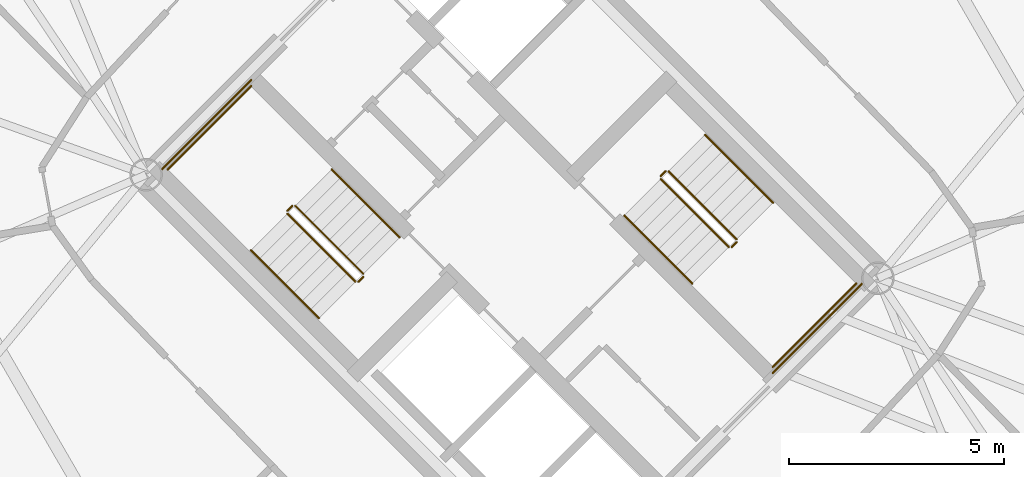
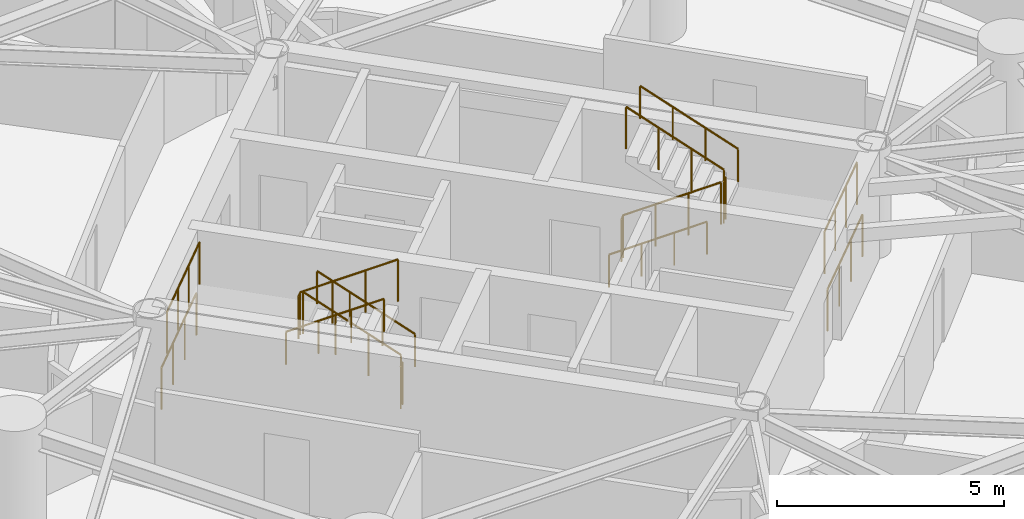
# One storey, part 18 of 19: 16 railings.
"""IFC4 building model written with IfcOpenShell, lengths in metres."""

from ifc_helpers import new_model, si_unit, direction, frame, origin, origin_2d, place, context, subcontext, project, spatial, circle, extrude, material, type_object, element, save


model = new_model("IFC4")

# Units and contexts
model_context = context("Model", 3, precision=1e-05, world=origin(), true_north=direction((0.0, 1.0)))
body_context = subcontext(model_context, "Body", "Model", "MODEL_VIEW")
ifc_project = project(units=[si_unit("LENGTHUNIT", "METRE"), si_unit("AREAUNIT", "SQUARE_METRE"), si_unit("VOLUMEUNIT", "CUBIC_METRE"), si_unit("PLANEANGLEUNIT", "RADIAN"), si_unit("MASSUNIT", "GRAM", prefix="KILO")], contexts=[model_context])

# Site, building, storey
site_placement = place(None, origin())
site = spatial("IfcSite", under=ifc_project, at=site_placement, CompositionType="ELEMENT")
building_placement = place(site_placement, origin())
building = spatial("IfcBuilding", under=site, at=building_placement, Name="Cununo Teusaquillo Station Towers", CompositionType="ELEMENT")
storey_placement = place(building_placement, frame((0.0, 0.0, 84.699951171875)))
storey = spatial("IfcBuildingStorey", under=building, at=storey_placement, Name="L26", CompositionType="ELEMENT", Elevation=84.699951171875)

# Railings
ifc_material_1 = material(Name="Steel EN 10025-2 S355J2", Category="steel")
railing_type_1 = type_object("IfcRailingType", Name="RL-INT-GUARD", PredefinedType="GUARDRAIL", material=ifc_material_1)
railing_1_placement = place(storey_placement, frame((54.03515625, 23.39697265625, 0.16162109375)))
element("IfcRailing", 1, at=railing_1_placement, inside=storey, type_object=railing_type_1, Name="L26 ST-T2-1 stair guard 1", PredefinedType="GUARDRAIL", context=body_context, shape_type="SweptSolid", body=[
    extrude(circle(Radius=0.02392578125, at=origin_2d()), frame((0.0, 0.0, 1.1259765625), z_axis=(-0.612332353853, 0.612332353853, 0.500098167213), x_axis=(-0.707106781187, -0.707106781187, 0.0)), (0.0, 0.0, 1.0), 2.58642578125),
    extrude(circle(Radius=0.02099609375, at=origin_2d()), origin(), (0.0, 0.0, 1.0), 1.101806640625),
    extrude(circle(Radius=0.02099609375, at=origin_2d()), frame((-0.52783203125, 0.52783203125, 0.43115234375)), (0.0, 0.0, 1.0), 1.101806640625),
    extrude(circle(Radius=0.02099609375, at=origin_2d()), frame((-1.055908203125, 1.055908203125, 0.8623046875)), (0.0, 0.0, 1.0), 1.101806640625),
    extrude(circle(Radius=0.02099609375, at=origin_2d()), frame((-1.583740234375, 1.583740234375, 1.29345703125)), (0.0, 0.0, 1.0), 1.101806640625),
])
railing_2_placement = place(storey_placement, frame((52.380615234375, 24.980712890625, 1.455078125)))
element("IfcRailing", 2, at=railing_2_placement, inside=storey, type_object=railing_type_1, Name="L26 ST-T2-1 stair guard 2", PredefinedType="GUARDRAIL", context=body_context, shape_type="SweptSolid", body=[
    extrude(circle(Radius=0.02392578125, at=origin_2d()), frame((0.0, 0.0, 1.1259765625), z_axis=(-0.7078691598, -0.706343579714, 0.0), x_axis=(0.706343579714, -0.7078691598, 0.0)), (0.0, 0.0, 1.0), 0.159912109375),
    extrude(circle(Radius=0.02099609375, at=origin_2d()), origin(), (0.0, 0.0, 1.0), 1.101806640625),
    extrude(circle(Radius=0.02099609375, at=origin_2d()), frame((-0.11328125, -0.113037109375, 0.0)), (0.0, 0.0, 1.0), 1.101806640625),
])
railing_3_placement = place(storey_placement, frame((51.426025390625, 27.77392578125, 1.455078125)))
element("IfcRailing", 3, at=railing_3_placement, inside=storey, type_object=railing_type_1, Name="L26 ST-T2-1 stair guard 3", PredefinedType="GUARDRAIL", context=body_context, shape_type="SweptSolid", body=[
    extrude(circle(Radius=0.02392578125, at=origin_2d()), frame((0.0, 0.0, 1.1259765625), z_axis=(-0.707106781187, -0.707106781187, 0.0), x_axis=(0.707106781187, -0.707106781187, 0.0)), (0.0, 0.0, 1.0), 2.760009765625),
    extrude(circle(Radius=0.02099609375, at=origin_2d()), origin(), (0.0, 0.0, 1.0), 1.101806640625),
    extrude(circle(Radius=0.02099609375, at=origin_2d()), frame((-0.650634765625, -0.650634765625, 0.0)), (0.0, 0.0, 1.0), 1.101806640625),
    extrude(circle(Radius=0.02099609375, at=origin_2d()), frame((-1.301025390625, -1.301025390625, 0.0)), (0.0, 0.0, 1.0), 1.101806640625),
    extrude(circle(Radius=0.02099609375, at=origin_2d()), frame((-1.95166015625, -1.95166015625, 0.0)), (0.0, 0.0, 1.0), 1.101806640625),
])
railing_4_placement = place(storey_placement, frame((52.267333984375, 24.796875, 1.61669921875)))
element("IfcRailing", 4, at=railing_4_placement, inside=storey, type_object=railing_type_1, Name="L26 ST-T2-1 stair guard 4", PredefinedType="GUARDRAIL", context=body_context, shape_type="SweptSolid", body=[
    extrude(circle(Radius=0.02392578125, at=origin_2d()), frame((0.0, 0.0, 1.1259765625), z_axis=(0.612391349474, -0.612296961165, 0.500069261639), x_axis=(0.707052281454, 0.707161276719, 0.0)), (0.0, 0.0, 1.0), 2.586669921875),
    extrude(circle(Radius=0.02099609375, at=origin_2d()), origin(), (0.0, 0.0, 1.0), 1.101806640625),
    extrude(circle(Radius=0.02099609375, at=origin_2d()), frame((0.528076171875, -0.52783203125, 0.43115234375)), (0.0, 0.0, 1.0), 1.101806640625),
    extrude(circle(Radius=0.02099609375, at=origin_2d()), frame((1.055908203125, -1.055908203125, 0.8623046875)), (0.0, 0.0, 1.0), 1.101806640625),
    extrude(circle(Radius=0.02099609375, at=origin_2d()), frame((1.583984375, -1.583740234375, 1.29345703125)), (0.0, 0.0, 1.0), 1.101806640625),
])
railing_5_placement = place(storey_placement, frame((54.03515625, 23.326171875, 0.0)))
element("IfcRailing", 5, at=railing_5_placement, inside=storey, type_object=railing_type_1, Name="L26 ST-T2-1 stair guard 5", PredefinedType="GUARDRAIL", context=body_context, shape_type="SweptSolid", body=[
    extrude(circle(Radius=0.02392578125, at=origin_2d()), frame((0.0, 0.0, 1.1259765625), z_axis=(-0.707106781187, -0.707106781187, 0.0), x_axis=(0.707106781187, -0.707106781187, 0.0)), (0.0, 0.0, 1.0), 0.159912109375),
    extrude(circle(Radius=0.02099609375, at=origin_2d()), origin(), (0.0, 0.0, 1.0), 1.101806640625),
    extrude(circle(Radius=0.02099609375, at=origin_2d()), frame((-0.113037109375, -0.113037109375, 0.0)), (0.0, 0.0, 1.0), 1.101806640625),
])
railing_6_placement = place(storey_placement, frame((51.426025390625, 27.915283203125, 0.0)))
element("IfcRailing", 6, at=railing_6_placement, inside=storey, type_object=railing_type_1, Name="L26 ST-T2-1 stair guard 6", PredefinedType="GUARDRAIL", context=body_context, shape_type="SweptSolid", body=[
    extrude(circle(Radius=0.02392578125, at=origin_2d()), frame((0.0, 0.0, 1.1259765625), z_axis=(-0.707106781187, -0.707106781187, 0.0), x_axis=(0.707106781187, -0.707106781187, 0.0)), (0.0, 0.0, 1.0), 2.9599609375),
    extrude(circle(Radius=0.02099609375, at=origin_2d()), origin(), (0.0, 0.0, 1.0), 1.101806640625),
    extrude(circle(Radius=0.02099609375, at=origin_2d()), frame((-0.69775390625, -0.69775390625, 0.0)), (0.0, 0.0, 1.0), 1.101806640625),
    extrude(circle(Radius=0.02099609375, at=origin_2d()), frame((-1.395263671875, -1.395263671875, 0.0)), (0.0, 0.0, 1.0), 1.101806640625),
    extrude(circle(Radius=0.02099609375, at=origin_2d()), frame((-2.093017578125, -2.093017578125, 0.0)), (0.0, 0.0, 1.0), 1.101806640625),
])
railing_7_placement = place(storey_placement, frame((60.96484375, 25.60302734375, 0.16162109375)))
element("IfcRailing", 7, at=railing_7_placement, inside=storey, type_object=railing_type_1, Name="L26 ST-T2-2 stair guard 1", PredefinedType="GUARDRAIL", context=body_context, shape_type="SweptSolid", body=[
    extrude(circle(Radius=0.02392578125, at=origin_2d()), frame((0.0, 0.0, 1.1259765625), z_axis=(0.612332353853, -0.612332353853, 0.500098167213), x_axis=(0.707106781187, 0.707106781187, 0.0)), (0.0, 0.0, 1.0), 2.58642578125),
    extrude(circle(Radius=0.02099609375, at=origin_2d()), origin(), (0.0, 0.0, 1.0), 1.101806640625),
    extrude(circle(Radius=0.02099609375, at=origin_2d()), frame((0.52783203125, -0.52783203125, 0.43115234375)), (0.0, 0.0, 1.0), 1.101806640625),
    extrude(circle(Radius=0.02099609375, at=origin_2d()), frame((1.055908203125, -1.055908203125, 0.8623046875)), (0.0, 0.0, 1.0), 1.101806640625),
    extrude(circle(Radius=0.02099609375, at=origin_2d()), frame((1.583740234375, -1.583740234375, 1.29345703125)), (0.0, 0.0, 1.0), 1.101806640625),
])
railing_8_placement = place(storey_placement, frame((62.619384765625, 24.019287109375, 1.455078125)))
element("IfcRailing", 8, at=railing_8_placement, inside=storey, type_object=railing_type_1, Name="L26 ST-T2-2 stair guard 2", PredefinedType="GUARDRAIL", context=body_context, shape_type="SweptSolid", body=[
    extrude(circle(Radius=0.02392578125, at=origin_2d()), frame((0.0, 0.0, 1.1259765625), z_axis=(0.7078691598, 0.706343579714, 0.0), x_axis=(-0.706343579714, 0.7078691598, 0.0)), (0.0, 0.0, 1.0), 0.159912109375),
    extrude(circle(Radius=0.02099609375, at=origin_2d()), origin(), (0.0, 0.0, 1.0), 1.101806640625),
    extrude(circle(Radius=0.02099609375, at=origin_2d()), frame((0.11328125, 0.113037109375, 0.0)), (0.0, 0.0, 1.0), 1.101806640625),
])
railing_9_placement = place(storey_placement, frame((63.573974609375, 21.22607421875, 1.455078125)))
element("IfcRailing", 9, at=railing_9_placement, inside=storey, type_object=railing_type_1, Name="L26 ST-T2-2 stair guard 3", PredefinedType="GUARDRAIL", context=body_context, shape_type="SweptSolid", body=[
    extrude(circle(Radius=0.02392578125, at=origin_2d()), frame((0.0, 0.0, 1.1259765625), z_axis=(0.707106781187, 0.707106781187, 0.0), x_axis=(-0.707106781187, 0.707106781187, 0.0)), (0.0, 0.0, 1.0), 2.760009765625),
    extrude(circle(Radius=0.02099609375, at=origin_2d()), origin(), (0.0, 0.0, 1.0), 1.101806640625),
    extrude(circle(Radius=0.02099609375, at=origin_2d()), frame((0.650634765625, 0.650634765625, 0.0)), (0.0, 0.0, 1.0), 1.101806640625),
    extrude(circle(Radius=0.02099609375, at=origin_2d()), frame((1.301025390625, 1.301025390625, 0.0)), (0.0, 0.0, 1.0), 1.101806640625),
    extrude(circle(Radius=0.02099609375, at=origin_2d()), frame((1.95166015625, 1.95166015625, 0.0)), (0.0, 0.0, 1.0), 1.101806640625),
])
railing_10_placement = place(storey_placement, frame((62.732666015625, 24.203125, 1.61669921875)))
element("IfcRailing", 10, at=railing_10_placement, inside=storey, type_object=railing_type_1, Name="L26 ST-T2-2 stair guard 4", PredefinedType="GUARDRAIL", context=body_context, shape_type="SweptSolid", body=[
    extrude(circle(Radius=0.02392578125, at=origin_2d()), frame((0.0, 0.0, 1.1259765625), z_axis=(-0.612391349474, 0.612296961165, 0.500069261639), x_axis=(-0.707052281454, -0.707161276719, 0.0)), (0.0, 0.0, 1.0), 2.586669921875),
    extrude(circle(Radius=0.02099609375, at=origin_2d()), origin(), (0.0, 0.0, 1.0), 1.101806640625),
    extrude(circle(Radius=0.02099609375, at=origin_2d()), frame((-0.528076171875, 0.52783203125, 0.43115234375)), (0.0, 0.0, 1.0), 1.101806640625),
    extrude(circle(Radius=0.02099609375, at=origin_2d()), frame((-1.055908203125, 1.055908203125, 0.8623046875)), (0.0, 0.0, 1.0), 1.101806640625),
    extrude(circle(Radius=0.02099609375, at=origin_2d()), frame((-1.583984375, 1.583740234375, 1.29345703125)), (0.0, 0.0, 1.0), 1.101806640625),
])
railing_11_placement = place(storey_placement, frame((60.96484375, 25.673828125, 0.0)))
element("IfcRailing", 11, at=railing_11_placement, inside=storey, type_object=railing_type_1, Name="L26 ST-T2-2 stair guard 5", PredefinedType="GUARDRAIL", context=body_context, shape_type="SweptSolid", body=[
    extrude(circle(Radius=0.02392578125, at=origin_2d()), frame((0.0, 0.0, 1.1259765625), z_axis=(0.707106781187, 0.707106781187, 0.0), x_axis=(-0.707106781187, 0.707106781187, 0.0)), (0.0, 0.0, 1.0), 0.159912109375),
    extrude(circle(Radius=0.02099609375, at=origin_2d()), origin(), (0.0, 0.0, 1.0), 1.101806640625),
    extrude(circle(Radius=0.02099609375, at=origin_2d()), frame((0.113037109375, 0.113037109375, 0.0)), (0.0, 0.0, 1.0), 1.101806640625),
])
railing_12_placement = place(storey_placement, frame((63.573974609375, 21.084716796875, 0.0)))
element("IfcRailing", 12, at=railing_12_placement, inside=storey, type_object=railing_type_1, Name="L26 ST-T2-2 stair guard 6", PredefinedType="GUARDRAIL", context=body_context, shape_type="SweptSolid", body=[
    extrude(circle(Radius=0.02392578125, at=origin_2d()), frame((0.0, 0.0, 1.1259765625), z_axis=(0.707106781187, 0.707106781187, 0.0), x_axis=(-0.707106781187, 0.707106781187, 0.0)), (0.0, 0.0, 1.0), 2.9599609375),
    extrude(circle(Radius=0.02099609375, at=origin_2d()), origin(), (0.0, 0.0, 1.0), 1.101806640625),
    extrude(circle(Radius=0.02099609375, at=origin_2d()), frame((0.69775390625, 0.69775390625, 0.0)), (0.0, 0.0, 1.0), 1.101806640625),
    extrude(circle(Radius=0.02099609375, at=origin_2d()), frame((1.395263671875, 1.395263671875, 0.0)), (0.0, 0.0, 1.0), 1.101806640625),
    extrude(circle(Radius=0.02099609375, at=origin_2d()), frame((2.093017578125, 2.093017578125, 0.0)), (0.0, 0.0, 1.0), 1.101806640625),
])
ifc_material_2 = material(Name="Steel EN 10025-2 S355J2", Category="steel")
railing_type_2 = type_object("IfcRailingType", Name="RL-INT-HRAIL", PredefinedType="HANDRAIL", material=ifc_material_2)
railing_13_placement = place(storey_placement, frame((54.8837890625, 24.245361328125, 0.16162109375)))
element("IfcRailing", 13, at=railing_13_placement, inside=storey, type_object=railing_type_2, Name="L26 ST-T2-1 stair handrail 1", PredefinedType="HANDRAIL", context=body_context, shape_type="SweptSolid", body=[
    extrude(circle(Radius=0.02392578125, at=origin_2d()), frame((0.0, 0.0, 0.8759765625), z_axis=(-0.612355957468, 0.612355957468, 0.500040361077), x_axis=(-0.707106781187, -0.707106781187, 0.0)), (0.0, 0.0, 1.0), 2.586669921875),
    extrude(circle(Radius=0.02099609375, at=origin_2d()), origin(), (0.0, 0.0, 1.0), 0.851806640625),
    extrude(circle(Radius=0.02099609375, at=origin_2d()), frame((-0.528076171875, 0.528076171875, 0.43115234375)), (0.0, 0.0, 1.0), 0.851806640625),
    extrude(circle(Radius=0.02099609375, at=origin_2d()), frame((-1.055908203125, 1.055908203125, 0.8623046875)), (0.0, 0.0, 1.0), 0.851806640625),
    extrude(circle(Radius=0.02099609375, at=origin_2d()), frame((-1.583984375, 1.583984375, 1.29345703125)), (0.0, 0.0, 1.0), 0.851806640625),
])
for number, where, name in (
    (14, (51.4189453125, 23.948486328125, 1.61669921875), "L26 ST-T2-1 stair handrail 2"),
    (15, (60.1162109375, 24.754638671875, 0.16162109375), "L26 ST-T2-2 stair handrail 1"),
):
    element("IfcRailing", number, at=place(storey_placement, frame(where)), inside=storey, type_object=railing_type_2, Name=name, PredefinedType="HANDRAIL", context=body_context, shape_type="SweptSolid", body=[
        extrude(circle(Radius=0.02392578125, at=origin_2d()), frame((0.0, 0.0, 0.8759765625), z_axis=(0.612355957468, -0.612355957468, 0.500040361077), x_axis=(0.707106781187, 0.707106781187, 0.0)), (0.0, 0.0, 1.0), 2.586669921875),
        extrude(circle(Radius=0.02099609375, at=origin_2d()), origin(), (0.0, 0.0, 1.0), 0.851806640625),
        extrude(circle(Radius=0.02099609375, at=origin_2d()), frame((0.528076171875, -0.528076171875, 0.43115234375)), (0.0, 0.0, 1.0), 0.851806640625),
        extrude(circle(Radius=0.02099609375, at=origin_2d()), frame((1.055908203125, -1.055908203125, 0.8623046875)), (0.0, 0.0, 1.0), 0.851806640625),
        extrude(circle(Radius=0.02099609375, at=origin_2d()), frame((1.583984375, -1.583984375, 1.29345703125)), (0.0, 0.0, 1.0), 0.851806640625),
    ])
railing_14_placement = place(storey_placement, frame((63.5810546875, 25.051513671875, 1.61669921875)))
element("IfcRailing", 16, at=railing_14_placement, inside=storey, type_object=railing_type_2, Name="L26 ST-T2-2 stair handrail 2", PredefinedType="HANDRAIL", context=body_context, shape_type="SweptSolid", body=[
    extrude(circle(Radius=0.02392578125, at=origin_2d()), frame((0.0, 0.0, 0.8759765625), z_axis=(-0.612355957468, 0.612355957468, 0.500040361077), x_axis=(-0.707106781187, -0.707106781187, 0.0)), (0.0, 0.0, 1.0), 2.586669921875),
    extrude(circle(Radius=0.02099609375, at=origin_2d()), origin(), (0.0, 0.0, 1.0), 0.851806640625),
    extrude(circle(Radius=0.02099609375, at=origin_2d()), frame((-0.528076171875, 0.528076171875, 0.43115234375)), (0.0, 0.0, 1.0), 0.851806640625),
    extrude(circle(Radius=0.02099609375, at=origin_2d()), frame((-1.055908203125, 1.055908203125, 0.8623046875)), (0.0, 0.0, 1.0), 0.851806640625),
    extrude(circle(Radius=0.02099609375, at=origin_2d()), frame((-1.583984375, 1.583984375, 1.29345703125)), (0.0, 0.0, 1.0), 0.851806640625),
])

save(model, "model.ifc")
